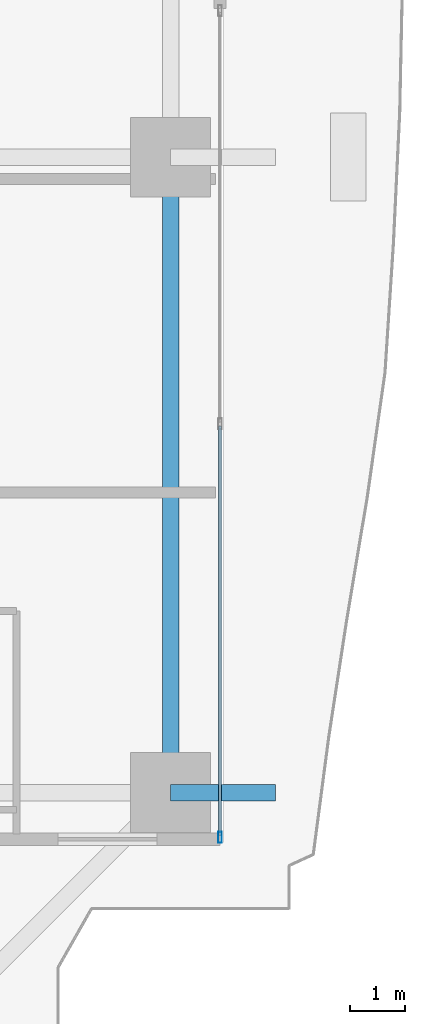
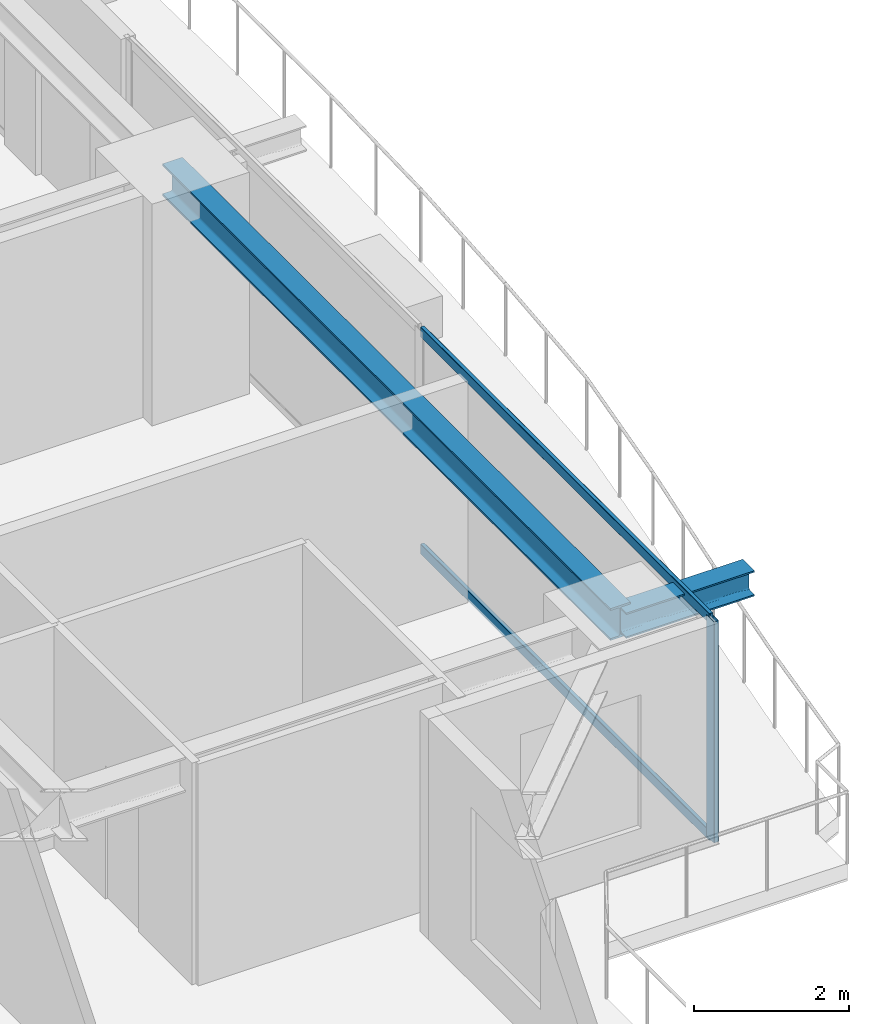
# One storey, part 12 of 38: 3 members, 2 beams, 1 element without a shape of its own.
"""IFC4 building model written with IfcOpenShell, lengths in metres."""

from ifc_helpers import new_model, si_unit, direction, frame, origin, origin_2d, place, context, subcontext, project, spatial, hollow_rectangle, i_section, extrude, source, transform, mapped, material, layer, layer_set, material_profile, profile_set, type_object, element, aggregate, save


model = new_model("IFC4")

# Units and contexts
model_context = context("Model", 3, precision=1e-05, world=origin(), true_north=direction((0.0, 1.0)))
body_context = subcontext(model_context, "Body", "Model", "MODEL_VIEW")
ifc_project = project(units=[si_unit("LENGTHUNIT", "METRE"), si_unit("AREAUNIT", "SQUARE_METRE"), si_unit("VOLUMEUNIT", "CUBIC_METRE"), si_unit("PLANEANGLEUNIT", "RADIAN"), si_unit("MASSUNIT", "GRAM", prefix="KILO")], contexts=[model_context])

# Site, building, storey
site_placement = place(None, origin())
site = spatial("IfcSite", under=ifc_project, at=site_placement, CompositionType="ELEMENT")
building_placement = place(site_placement, origin())
building = spatial("IfcBuilding", under=site, at=building_placement, Name="Serunith Strait Residences", CompositionType="ELEMENT")
storey_placement = place(building_placement, frame((0.0, 0.0, 82.949951171875)))
storey = spatial("IfcBuildingStorey", under=building, at=storey_placement, Name="L20", CompositionType="ELEMENT", Elevation=82.949951171875)

# Beams
ifc_material_1 = material(Name="Steel S355J2", Category="steel")
ifc_material_profile_1 = material_profile(ifc_material_1, i_section(OverallWidth=0.300048828125, OverallDepth=0.5, WebThickness=0.014404296875, FlangeThickness=0.028076171875, FilletRadius=0.027099609375, at=origin_2d()), Name="HEB 500")
ifc_profile_set_1 = profile_set([ifc_material_profile_1], Name="Steel S355J2")
beam_type_1 = type_object("IfcBeamType", Name="BM-HEB500", PredefinedType="BEAM", material=ifc_profile_set_1)
shared_shape_1 = source(origin(), body_context, "Body", "SweptSolid", [
    extrude(i_section(OverallWidth=0.300048828125, OverallDepth=0.5, WebThickness=0.014404296875, FlangeThickness=0.028076171875, FilletRadius=0.027099609375, at=origin_2d()), origin(), (0.0, 0.0, 1.0), 11.550048828125),
])
beam_1_placement = place(storey_placement, frame((57.89990234375, 9.449951171875, 3.237060546875), z_axis=(0.0, 1.0, 0.0), x_axis=(-1.0, 0.0, 0.0)))
element("IfcBeam", 1, at=beam_1_placement, inside=storey, type_object=beam_type_1, Name="L20 Perimeter Ring Beam 05", PredefinedType="BEAM", context=body_context, shape_type="MappedRepresentation", body=[
    mapped(shared_shape_1, transform((0.0, 0.0, 0.0), scale=1.0)),
])
ifc_material_profile_2 = material_profile(ifc_material_1, i_section(OverallWidth=0.300048828125, OverallDepth=0.39990234375, WebThickness=0.013427734375, FlangeThickness=0.02392578125, FilletRadius=0.027099609375, at=origin_2d()), Name="HEB 400")
ifc_profile_set_2 = profile_set([ifc_material_profile_2], Name="Steel S355J2")
beam_type_2 = type_object("IfcBeamType", Name="BM-HEB400", PredefinedType="BEAM", material=ifc_profile_set_2)
shared_shape_2 = source(origin(), body_context, "Body", "SweptSolid", [
    extrude(i_section(OverallWidth=0.300048828125, OverallDepth=0.39990234375, WebThickness=0.013427734375, FlangeThickness=0.02392578125, FilletRadius=0.027099609375, at=origin_2d()), origin(), (0.0, 0.0, 1.0), 1.91015625),
])
beam_2_placement = place(storey_placement, frame((57.89990234375, 9.449951171875, 3.257080078125), z_axis=(1.0, 0.0, 0.0), x_axis=(0.0, 1.0, 0.0)))
element("IfcBeam", 2, at=beam_2_placement, inside=storey, type_object=beam_type_2, Name="L21 Cantilevered Balcony Rib TC-E1", PredefinedType="BEAM", context=body_context, shape_type="MappedRepresentation", body=[
    mapped(shared_shape_2, transform((0.0, 0.0, 0.0), scale=1.0)),
])

# Curtain wall, members
ifc_material_2 = material(Name="Pale-Champagne Anodised Aluminium", Category="aluminium")
ifc_layer = layer(ifc_material_2, 0.199951171875, Name="Pale-Champagne Anodised Aluminium")
ifc_layer_set = layer_set([ifc_layer], Name="Pale-Champagne Anodised Aluminium")
curtain_wall_type = type_object("IfcCurtainWallType", Name="CW-SYS1", PredefinedType="NOTDEFINED", material=ifc_layer_set)
curtain_wall_placement = place(storey_placement, origin())
curtain_wall = element("IfcCurtainWall", 3, at=curtain_wall_placement, inside=storey, type_object=curtain_wall_type, Name="L20 E Unitised Fritted Curtain Wall", PredefinedType="NOTDEFINED")
ifc_material_profile_3 = material_profile(ifc_material_2, hollow_rectangle(XDim=0.070068359375, YDim=0.199951171875, WallThickness=0.00390625, InnerFilletRadius=0.006103515625, OuterFilletRadius=0.010009765625, at=origin_2d()), Name="ALU 200x70x4")
ifc_profile_set_3 = profile_set([ifc_material_profile_3], Name="Pale-Champagne Anodised Aluminium")
member_type_1 = type_object("IfcMemberType", Name="CW-SYS1-MULL", PredefinedType="MULLION", material=ifc_profile_set_3)
shared_shape_3 = source(origin(), body_context, "Body", "SweptSolid", [
    extrude(hollow_rectangle(XDim=0.070068359375, YDim=0.199951171875, WallThickness=0.00390625, InnerFilletRadius=0.006103515625, OuterFilletRadius=0.010009765625, at=origin_2d()), origin(), (0.0, 0.0, 1.0), 3.47509765625),
])
member_1_placement = place(storey_placement, frame((58.800048828125, 8.635009765625, 0.0), z_axis=(0.0, 0.0, 1.0), x_axis=(-1.0, 0.0, 0.0)))
member_1 = element("IfcMember", 4, at=member_1_placement, type_object=member_type_1, Name="CW-1 mullion 1", PredefinedType="MULLION", context=body_context, shape_type="MappedRepresentation", body=[
    mapped(shared_shape_3, transform((0.0, 0.0, 0.0), scale=1.0)),
])
ifc_material_profile_4 = material_profile(ifc_material_2, hollow_rectangle(XDim=0.06005859375, YDim=0.159912109375, WallThickness=0.00341796875, InnerFilletRadius=0.00537109375, OuterFilletRadius=0.0087890625, at=origin_2d()), Name="ALU 160x60x3.5")
ifc_profile_set_4 = profile_set([ifc_material_profile_4], Name="Pale-Champagne Anodised Aluminium")
member_type_2 = type_object("IfcMemberType", Name="CW-SYS1-TRAN", PredefinedType="USERDEFINED", material=ifc_profile_set_4)
shared_shape_4 = source(origin(), body_context, "Body", "SweptSolid", [
    extrude(hollow_rectangle(XDim=0.06005859375, YDim=0.159912109375, WallThickness=0.00341796875, InnerFilletRadius=0.00537109375, OuterFilletRadius=0.0087890625, at=origin_2d()), origin(), (0.0, 0.0, 1.0), 7.445068359375),
])
member_2_placement = place(storey_placement, frame((58.800048828125, 8.669921875, 0.030029296875), z_axis=(0.0, 1.0, 0.0), x_axis=(-1.0, 0.0, 0.0)))
member_2 = element("IfcMember", 5, at=member_2_placement, type_object=member_type_2, Name="CW-1 transom 1.1", ObjectType="TRANSOM", PredefinedType="USERDEFINED", context=body_context, shape_type="MappedRepresentation", body=[
    mapped(shared_shape_4, transform((0.0, 0.0, 0.0), scale=1.0)),
])
member_3_placement = place(storey_placement, frame((58.800048828125, 8.669921875, 3.445068359375), z_axis=(0.0, 1.0, 0.0), x_axis=(-1.0, 0.0, 0.0)))
member_3 = element("IfcMember", 6, at=member_3_placement, type_object=member_type_2, Name="CW-1 transom 1.2", ObjectType="TRANSOM", PredefinedType="USERDEFINED", context=body_context, shape_type="MappedRepresentation", body=[
    mapped(shared_shape_4, transform((0.0, 0.0, 0.0), scale=1.0)),
])
aggregate(curtain_wall, [member_1, member_2, member_3])

save(model, "model.ifc")
